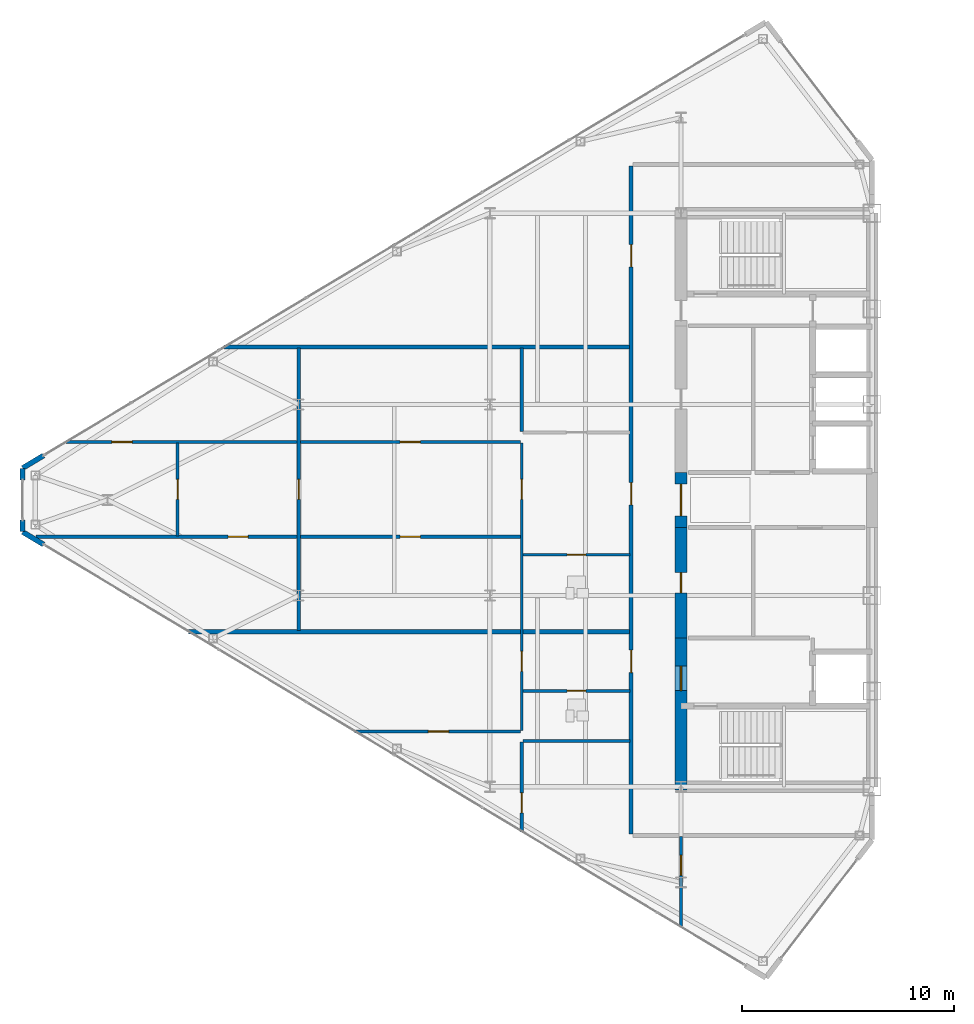
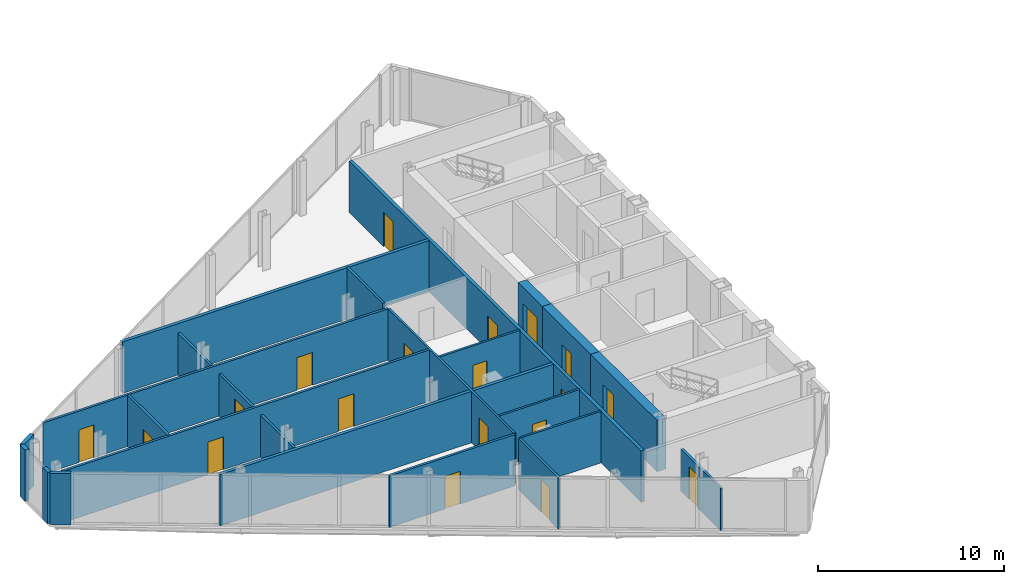
# One storey, part 19 of 26: 22 walls, 19 doors, 19 openings.
"""IFC4 building model written with IfcOpenShell, lengths in metres."""

from ifc_helpers import new_model, si_unit, direction, frame, frame_2d, origin, place, context, subcontext, project, spatial, rectangle, extrude, source, transform, mapped, material, layer, layer_set, type_object, type_shapes, element, fill, save


model = new_model("IFC4")

# Units and contexts
model_context = context("Model", 3, precision=1e-05, world=origin(), true_north=direction((0.0, 1.0)))
body_context = subcontext(model_context, "Body", "Model", "MODEL_VIEW")
ifc_project = project(units=[si_unit("LENGTHUNIT", "METRE"), si_unit("AREAUNIT", "SQUARE_METRE"), si_unit("VOLUMEUNIT", "CUBIC_METRE"), si_unit("PLANEANGLEUNIT", "RADIAN"), si_unit("MASSUNIT", "GRAM", prefix="KILO")], contexts=[model_context])

# Site, building, storey
site_placement = place(None, origin())
site = spatial("IfcSite", under=ifc_project, at=site_placement, CompositionType="ELEMENT")
building_placement = place(site_placement, origin())
building = spatial("IfcBuilding", under=site, at=building_placement, Name="Seokmaru Belvedere", CompositionType="ELEMENT")
storey_placement = place(building_placement, frame((0.0, 0.0, 199.5)))
storey = spatial("IfcBuildingStorey", under=building, at=storey_placement, Name="L53", CompositionType="ELEMENT", Elevation=199.5)

# Wall, opening, door
ifc_material_1 = material(Name="Fire-Rated Gypsum Shaftwall")
ifc_layer_1 = layer(ifc_material_1, 0.14990234375)
ifc_layer_set_1 = layer_set([ifc_layer_1], Name="Fire-Rated Gypsum Shaftwall")
wall_type_1 = type_object("IfcWallType", Name="Apartment Fire-Acoustic Room Partition 150", PredefinedType="PARTITIONING", material=ifc_layer_set_1)
wall_1_placement = place(storey_placement, frame((-51.867919921875, -10.89990234375, 0.0), z_axis=(0.0, 0.0, 1.0), x_axis=(1.0, 0.0, 0.0)))
wall_1 = element("IfcWall", 1, at=wall_1_placement, inside=storey, type_object=wall_type_1, Name="L53 Interior Partition 004", PredefinedType="PARTITIONING", context=body_context, shape_type="SweptSolid", body=[
    extrude(rectangle(XDim=7.81787109375, YDim=0.14990234375, at=frame_2d((3.908935546875, 0.0))), origin(), (0.0, 0.0, 1.0), 3.3798828125),
])
opening_1_placement = place(wall_1_placement, frame((3.476318359375, 0.0, 0.0)))
opening_1 = element("IfcOpeningElement", 2, at=opening_1_placement, cuts=wall_1, Name="Opening D05", PredefinedType="OPENING", context=body_context, shape_type="SweptSolid", body=[
    extrude(rectangle(XDim=0.949951171875, YDim=2.14990234375, at=frame_2d((0.47509765625, 1.074951171875))), frame((0.0, 0.0849609375, 0.0), z_axis=(0.0, -1.0, 0.0), x_axis=(1.0, 0.0, 0.0)), (0.0, 0.0, 1.0), 0.169921875),
])
ifc_material_2 = material(Name="Engineered White Oak Timber", Category="wood")
door_type_1 = type_object("IfcDoorType", Name="Apartment Interior Fire-Rated Oak Door 950x2150", OperationType="NOTDEFINED", PredefinedType="DOOR", material=ifc_material_2)
shared_shape_1 = source(origin(), body_context, "Body", "SweptSolid", [
    extrude(rectangle(XDim=0.949951171875, YDim=2.14990234375, at=frame_2d((0.47509765625, 1.074951171875))), frame((0.0, 0.02490234375, 0.0), z_axis=(0.0, -1.0, 0.0), x_axis=(1.0, 0.0, 0.0)), (0.0, 0.0, 1.0), 0.050048828125),
])
type_shapes(door_type_1, [shared_shape_1])
door_1_placement = place(opening_1_placement, origin())
door_1 = element("IfcDoor", 3, at=door_1_placement, inside=storey, type_object=door_type_1, Name="L53 Interior Door 004", OperationType="SINGLE_SWING_RIGHT", OverallHeight=2.14990234375, OverallWidth=0.949951171875, PredefinedType="DOOR", context=body_context, shape_type="MappedRepresentation", body=[
    mapped(shared_shape_1, transform((0.0, 0.0, 0.0), scale=1.0)),
])
fill(opening_1, door_1)

# Wall, openings, doors
wall_2_placement = place(storey_placement, frame((-66.873779296875, -1.72998046875, 0.0), z_axis=(0.0, 0.0, 1.0), x_axis=(1.0, 0.0, 0.0)))
wall_2 = element("IfcWall", 4, at=wall_2_placement, inside=storey, type_object=wall_type_1, Name="L53 Interior Partition 011", PredefinedType="PARTITIONING", context=body_context, shape_type="SweptSolid", body=[
    extrude(rectangle(XDim=22.82373046875, YDim=0.14990234375, at=frame_2d((11.411865234375, 0.0))), origin(), (0.0, 0.0, 1.0), 3.3798828125),
])
opening_2_placement = place(wall_2_placement, frame((17.148681640625, 0.0, 0.0)))
opening_2 = element("IfcOpeningElement", 5, at=opening_2_placement, cuts=wall_2, Name="Opening D05", PredefinedType="OPENING", context=body_context, shape_type="SweptSolid", body=[
    extrude(rectangle(XDim=0.949951171875, YDim=2.14990234375, at=frame_2d((0.47509765625, 1.074951171875))), frame((0.0, 0.0849609375, 0.0), z_axis=(0.0, -1.0, 0.0), x_axis=(1.0, 0.0, 0.0)), (0.0, 0.0, 1.0), 0.169921875),
])
opening_3_placement = place(wall_2_placement, frame((9.048583984375, 0.0, 0.0)))
opening_3 = element("IfcOpeningElement", 6, at=opening_3_placement, cuts=wall_2, Name="Opening D05", PredefinedType="OPENING", context=body_context, shape_type="SweptSolid", body=[
    extrude(rectangle(XDim=0.949951171875, YDim=2.14990234375, at=frame_2d((0.47509765625, 1.074951171875))), frame((0.0, 0.0849609375, 0.0), z_axis=(0.0, -1.0, 0.0), x_axis=(1.0, 0.0, 0.0)), (0.0, 0.0, 1.0), 0.169921875),
])
door_2_placement = place(opening_2_placement, origin())
door_2 = element("IfcDoor", 7, at=door_2_placement, inside=storey, type_object=door_type_1, Name="L53 Interior Door 012", OperationType="SINGLE_SWING_RIGHT", OverallHeight=2.14990234375, OverallWidth=0.949951171875, PredefinedType="DOOR", context=body_context, shape_type="MappedRepresentation", body=[
    mapped(shared_shape_1, transform((0.0, 0.0, 0.0), scale=1.0)),
])
fill(opening_2, door_2)
door_3_placement = place(opening_3_placement, origin())
door_3 = element("IfcDoor", 8, at=door_3_placement, inside=storey, type_object=door_type_1, Name="L53 Interior Door 014", OperationType="SINGLE_SWING_LEFT", OverallHeight=2.14990234375, OverallWidth=0.949951171875, PredefinedType="DOOR", context=body_context, shape_type="MappedRepresentation", body=[
    mapped(shared_shape_1, transform((0.0, 0.0, 0.0), scale=1.0)),
])
fill(opening_3, door_3)

wall_3_placement = place(storey_placement, frame((-65.47998046875, 2.72998046875, 0.0), z_axis=(0.0, 0.0, 1.0), x_axis=(1.0, 0.0, 0.0)))
wall_3 = element("IfcWall", 9, at=wall_3_placement, inside=storey, type_object=wall_type_1, Name="L53 Interior Partition 014", PredefinedType="PARTITIONING", context=body_context, shape_type="SweptSolid", body=[
    extrude(rectangle(XDim=21.429931640625, YDim=0.14990234375, at=frame_2d((10.71484375, 0.0))), origin(), (0.0, 0.0, 1.0), 3.3798828125),
])
opening_4_placement = place(wall_3_placement, frame((15.7548828125, 0.0, 0.0)))
opening_4 = element("IfcOpeningElement", 10, at=opening_4_placement, cuts=wall_3, Name="Opening D05", PredefinedType="OPENING", context=body_context, shape_type="SweptSolid", body=[
    extrude(rectangle(XDim=0.949951171875, YDim=2.14990234375, at=frame_2d((0.47509765625, 1.074951171875))), frame((0.0, 0.0849609375, 0.0), z_axis=(0.0, -1.0, 0.0), x_axis=(1.0, 0.0, 0.0)), (0.0, 0.0, 1.0), 0.169921875),
])
opening_5_placement = place(wall_3_placement, frame((2.182861328125, 0.0, 0.0)))
opening_5 = element("IfcOpeningElement", 11, at=opening_5_placement, cuts=wall_3, Name="Opening D05", PredefinedType="OPENING", context=body_context, shape_type="SweptSolid", body=[
    extrude(rectangle(XDim=0.949951171875, YDim=2.14990234375, at=frame_2d((0.47509765625, 1.074951171875))), frame((0.0, 0.0849609375, 0.0), z_axis=(0.0, -1.0, 0.0), x_axis=(1.0, 0.0, 0.0)), (0.0, 0.0, 1.0), 0.169921875),
])
door_4_placement = place(opening_4_placement, origin())
door_4 = element("IfcDoor", 12, at=door_4_placement, inside=storey, type_object=door_type_1, Name="L53 Interior Door 013", OperationType="SINGLE_SWING_LEFT", OverallHeight=2.14990234375, OverallWidth=0.949951171875, PredefinedType="DOOR", context=body_context, shape_type="MappedRepresentation", body=[
    mapped(shared_shape_1, transform((0.0, 0.0, 0.0), scale=1.0)),
])
fill(opening_4, door_4)
door_5_placement = place(opening_5_placement, origin())
door_5 = element("IfcDoor", 13, at=door_5_placement, inside=storey, type_object=door_type_1, Name="L53 Interior Door 016", OperationType="SINGLE_SWING_LEFT", OverallHeight=2.14990234375, OverallWidth=0.949951171875, PredefinedType="DOOR", context=body_context, shape_type="MappedRepresentation", body=[
    mapped(shared_shape_1, transform((0.0, 0.0, 0.0), scale=1.0)),
])
fill(opening_5, door_5)

# Wall, opening, door
wall_4_placement = place(storey_placement, frame((-60.199951171875, -1.68310546875, 0.0), z_axis=(0.0, 0.0, 1.0), x_axis=(0.0, 1.0, 0.0)))
wall_4 = element("IfcWall", 14, at=wall_4_placement, inside=storey, type_object=wall_type_1, Name="L53 Interior Partition 024", PredefinedType="PARTITIONING", context=body_context, shape_type="SweptSolid", body=[
    extrude(rectangle(XDim=4.3662109375, YDim=0.14990234375, at=frame_2d((2.18310546875, 0.0))), origin(), (0.0, 0.0, 1.0), 3.3798828125),
])
opening_6_placement = place(wall_4_placement, frame((1.7080078125, 0.0, 0.0)))
opening_6 = element("IfcOpeningElement", 15, at=opening_6_placement, cuts=wall_4, Name="Opening D05", PredefinedType="OPENING", context=body_context, shape_type="SweptSolid", body=[
    extrude(rectangle(XDim=0.949951171875, YDim=2.14990234375, at=frame_2d((0.47509765625, 1.074951171875))), frame((0.0, 0.0849609375, 0.0), z_axis=(0.0, -1.0, 0.0), x_axis=(1.0, 0.0, 0.0)), (0.0, 0.0, 1.0), 0.169921875),
])
door_6_placement = place(opening_6_placement, origin())
door_6 = element("IfcDoor", 16, at=door_6_placement, inside=storey, type_object=door_type_1, Name="L53 Interior Door 015", OperationType="SINGLE_SWING_RIGHT", OverallHeight=2.14990234375, OverallWidth=0.949951171875, PredefinedType="DOOR", context=body_context, shape_type="MappedRepresentation", body=[
    mapped(shared_shape_1, transform((0.0, 0.0, 0.0), scale=1.0)),
])
fill(opening_6, door_6)

wall_5_placement = place(storey_placement, frame((-54.5, -6.14990234375, 0.0), z_axis=(0.0, 0.0, 1.0), x_axis=(0.0, 1.0, 0.0)))
wall_5 = element("IfcWall", 17, at=wall_5_placement, inside=storey, type_object=wall_type_1, Name="L53 Interior Partition 025", PredefinedType="PARTITIONING", context=body_context, shape_type="SweptSolid", body=[
    extrude(rectangle(XDim=13.2998046875, YDim=0.14990234375, at=frame_2d((6.64990234375, 0.0))), origin(), (0.0, 0.0, 1.0), 2.780029296875),
])
opening_7_placement = place(wall_5_placement, frame((6.175048828125, 0.0, 0.0)))
opening_7 = element("IfcOpeningElement", 18, at=opening_7_placement, cuts=wall_5, Name="Opening D05", PredefinedType="OPENING", context=body_context, shape_type="SweptSolid", body=[
    extrude(rectangle(XDim=0.949951171875, YDim=2.14990234375, at=frame_2d((0.47509765625, 1.074951171875))), frame((0.0, 0.0849609375, 0.0), z_axis=(0.0, -1.0, 0.0), x_axis=(1.0, 0.0, 0.0)), (0.0, 0.0, 1.0), 0.169921875),
])
door_7_placement = place(opening_7_placement, origin())
door_7 = element("IfcDoor", 19, at=door_7_placement, inside=storey, type_object=door_type_1, Name="L53 Interior Door 011", OperationType="SINGLE_SWING_RIGHT", OverallHeight=2.14990234375, OverallWidth=0.949951171875, PredefinedType="DOOR", context=body_context, shape_type="MappedRepresentation", body=[
    mapped(shared_shape_1, transform((0.0, 0.0, 0.0), scale=1.0)),
])
fill(opening_7, door_7)

wall_6_placement = place(storey_placement, frame((-44.0, -15.635009765625, 0.0), z_axis=(0.0, 0.0, 1.0), x_axis=(0.0, 1.0, 0.0)))
wall_6 = element("IfcWall", 20, at=wall_6_placement, inside=storey, type_object=wall_type_1, Name="L53 Interior Partition 026", PredefinedType="PARTITIONING", context=body_context, shape_type="SweptSolid", body=[
    extrude(rectangle(XDim=4.239990234375, YDim=0.14990234375, at=frame_2d((2.1201171875, 0.0))), origin(), (0.0, 0.0, 1.0), 3.3798828125),
])
opening_8_placement = place(wall_6_placement, frame((0.902587890625, 0.0, 0.0)))
opening_8 = element("IfcOpeningElement", 21, at=opening_8_placement, cuts=wall_6, Name="Opening D05", PredefinedType="OPENING", context=body_context, shape_type="SweptSolid", body=[
    extrude(rectangle(XDim=0.949951171875, YDim=2.14990234375, at=frame_2d((0.47509765625, 1.074951171875))), frame((0.0, 0.0849609375, 0.0), z_axis=(0.0, -1.0, 0.0), x_axis=(1.0, 0.0, 0.0)), (0.0, 0.0, 1.0), 0.169921875),
])
door_8_placement = place(opening_8_placement, origin())
door_8 = element("IfcDoor", 22, at=door_8_placement, inside=storey, type_object=door_type_1, Name="L53 Interior Door 005", OperationType="SINGLE_SWING_LEFT", OverallHeight=2.14990234375, OverallWidth=0.949951171875, PredefinedType="DOOR", context=body_context, shape_type="MappedRepresentation", body=[
    mapped(shared_shape_1, transform((0.0, 0.0, 0.0), scale=1.0)),
])
fill(opening_8, door_8)

# Wall
wall_7_placement = place(storey_placement, frame((-44.0, 3.23193359375, 0.0), z_axis=(0.0, 0.0, 1.0), x_axis=(0.0, 1.0, 0.0)))
element("IfcWall", 23, at=wall_7_placement, inside=storey, type_object=wall_type_1, Name="L53 Interior Partition 028", PredefinedType="PARTITIONING", context=body_context, shape_type="SweptSolid", body=[
    extrude(rectangle(XDim=3.91796875, YDim=0.14990234375, at=frame_2d((1.958984375, 0.0))), origin(), (0.0, 0.0, 1.0), 3.3798828125),
])

# Wall, opening, door
wall_8_placement = place(storey_placement, frame((-36.5, -20.135009765625, 0.0), z_axis=(0.0, 0.0, 1.0), x_axis=(0.0, 1.0, 0.0)))
wall_8 = element("IfcWall", 24, at=wall_8_placement, inside=storey, type_object=wall_type_1, Name="L53 Interior Partition 030", PredefinedType="PARTITIONING", context=body_context, shape_type="SweptSolid", body=[
    extrude(rectangle(XDim=4.284912109375, YDim=0.14990234375, at=frame_2d((2.142578125, 0.0))), origin(), (0.0, 0.0, 1.0), 2.780029296875),
])
opening_9_placement = place(wall_8_placement, frame((2.45703125, 0.0, 0.0)))
opening_9 = element("IfcOpeningElement", 25, at=opening_9_placement, cuts=wall_8, Name="Opening D05", PredefinedType="OPENING", context=body_context, shape_type="SweptSolid", body=[
    extrude(rectangle(XDim=0.949951171875, YDim=2.14990234375, at=frame_2d((0.47509765625, 1.074951171875))), frame((0.0, 0.0849609375, 0.0), z_axis=(0.0, -1.0, 0.0), x_axis=(1.0, 0.0, 0.0)), (0.0, 0.0, 1.0), 0.169921875),
])
door_9_placement = place(opening_9_placement, origin())
door_9 = element("IfcDoor", 26, at=door_9_placement, inside=storey, type_object=door_type_1, Name="L53 Interior Door 006", OperationType="SINGLE_SWING_RIGHT", OverallHeight=2.14990234375, OverallWidth=0.949951171875, PredefinedType="DOOR", context=body_context, shape_type="MappedRepresentation", body=[
    mapped(shared_shape_1, transform((0.0, 0.0, 0.0), scale=1.0)),
])
fill(opening_9, door_9)

# Walls
ifc_layer_2 = layer(ifc_material_1, 0.199951171875)
ifc_layer_set_2 = layer_set([ifc_layer_2], Name="Fire-Rated Gypsum Shaftwall")
wall_type_2 = type_object("IfcWallType", Name="Inter-Tenancy Fire Compartment Partition 200", PredefinedType="PARTITIONING", material=ifc_layer_set_2)
wall_9_placement = place(storey_placement, frame((-59.676025390625, -6.199951171875, 0.0), z_axis=(0.0, 0.0, 1.0), x_axis=(1.0, 0.0, 0.0)))
element("IfcWall", 27, at=wall_9_placement, inside=storey, type_object=wall_type_2, Name="L53 Interior Partition 007", PredefinedType="PARTITIONING", context=body_context, shape_type="SweptSolid", body=[
    extrude(rectangle(XDim=20.74609375, YDim=0.199951171875, at=frame_2d((10.373046875, 0.0))), origin(), (0.0, 0.0, 1.0), 3.3798828125),
])
wall_10_placement = place(storey_placement, frame((-58.010009765625, 7.199951171875, 0.0), z_axis=(0.0, 0.0, 1.0), x_axis=(1.0, 0.0, 0.0)))
element("IfcWall", 28, at=wall_10_placement, inside=storey, type_object=wall_type_2, Name="L53 Interior Partition 017", PredefinedType="PARTITIONING", context=body_context, shape_type="SweptSolid", body=[
    extrude(rectangle(XDim=19.080078125, YDim=0.199951171875, at=frame_2d((9.5400390625, 0.0))), origin(), (0.0, 0.0, 1.0), 3.3798828125),
])

# Wall, openings, doors
wall_11_placement = place(storey_placement, frame((-38.85009765625, -15.715087890625, 0.0), z_axis=(0.0, 0.0, 1.0), x_axis=(0.0, 1.0, 0.0)))
wall_11 = element("IfcWall", 29, at=wall_11_placement, inside=storey, type_object=wall_type_2, Name="L53 Interior Partition 029", PredefinedType="PARTITIONING", context=body_context, shape_type="SweptSolid", body=[
    extrude(rectangle(XDim=31.43017578125, YDim=0.199951171875, at=frame_2d((15.715087890625, 0.0))), origin(), (0.0, 0.0, 1.0), 3.3798828125),
])
opening_10_placement = place(wall_11_placement, frame((7.592529296875, 0.0, 0.0)))
opening_10 = element("IfcOpeningElement", 30, at=opening_10_placement, cuts=wall_11, Name="Opening D03", PredefinedType="OPENING", context=body_context, shape_type="SweptSolid", body=[
    extrude(rectangle(XDim=1.050048828125, YDim=2.25, at=frame_2d((0.52490234375, 1.125))), frame((0.0, 0.10986328125, 0.0), z_axis=(0.0, -1.0, 0.0), x_axis=(1.0, 0.0, 0.0)), (0.0, 0.0, 1.0), 0.219970703125),
])
opening_11_placement = place(wall_11_placement, frame((15.489013671875, 0.0, 0.0)))
opening_11 = element("IfcOpeningElement", 31, at=opening_11_placement, cuts=wall_11, Name="Opening D03", PredefinedType="OPENING", context=body_context, shape_type="SweptSolid", body=[
    extrude(rectangle(XDim=1.050048828125, YDim=2.25, at=frame_2d((0.52490234375, 1.125))), frame((0.0, 0.10986328125, 0.0), z_axis=(0.0, -1.0, 0.0), x_axis=(1.0, 0.0, 0.0)), (0.0, 0.0, 1.0), 0.219970703125),
])
opening_12_placement = place(wall_11_placement, frame((26.68994140625, 0.0, 0.0)))
opening_12 = element("IfcOpeningElement", 32, at=opening_12_placement, cuts=wall_11, Name="Opening D03", PredefinedType="OPENING", context=body_context, shape_type="SweptSolid", body=[
    extrude(rectangle(XDim=1.050048828125, YDim=2.25, at=frame_2d((0.52490234375, 1.125))), frame((0.0, 0.10986328125, 0.0), z_axis=(0.0, -1.0, 0.0), x_axis=(1.0, 0.0, 0.0)), (0.0, 0.0, 1.0), 0.219970703125),
])
ifc_material_3 = material(Name="Fire-Rated Steel Leaf", Category="steel")
door_type_2 = type_object("IfcDoorType", Name="Apartment Entrance Fire Door 1050x2250", OperationType="NOTDEFINED", PredefinedType="DOOR", material=ifc_material_3)
shared_shape_2 = source(origin(), body_context, "Body", "SweptSolid", [
    extrude(rectangle(XDim=1.050048828125, YDim=2.25, at=frame_2d((0.52490234375, 1.125))), frame((0.0, 0.02490234375, 0.0), z_axis=(0.0, -1.0, 0.0), x_axis=(1.0, 0.0, 0.0)), (0.0, 0.0, 1.0), 0.050048828125),
])
type_shapes(door_type_2, [shared_shape_2])
door_10_placement = place(opening_10_placement, origin())
door_10 = element("IfcDoor", 33, at=door_10_placement, inside=storey, type_object=door_type_2, Name="L53 Interior Door 001", OperationType="SINGLE_SWING_RIGHT", OverallHeight=2.25, OverallWidth=1.050048828125, PredefinedType="DOOR", context=body_context, shape_type="MappedRepresentation", body=[
    mapped(shared_shape_2, transform((0.0, 0.0, 0.0), scale=1.0)),
])
fill(opening_10, door_10)
door_11_placement = place(opening_11_placement, origin())
door_11 = element("IfcDoor", 34, at=door_11_placement, inside=storey, type_object=door_type_2, Name="L53 Interior Door 007", OperationType="SINGLE_SWING_LEFT", OverallHeight=2.25, OverallWidth=1.050048828125, PredefinedType="DOOR", context=body_context, shape_type="MappedRepresentation", body=[
    mapped(shared_shape_2, transform((0.0, 0.0, 0.0), scale=1.0)),
])
fill(opening_11, door_11)
door_12_placement = place(opening_12_placement, origin())
door_12 = element("IfcDoor", 35, at=door_12_placement, inside=storey, type_object=door_type_2, Name="L53 Interior Door 017", OperationType="SINGLE_SWING_RIGHT", OverallHeight=2.25, OverallWidth=1.050048828125, PredefinedType="DOOR", context=body_context, shape_type="MappedRepresentation", body=[
    mapped(shared_shape_2, transform((0.0, 0.0, 0.0), scale=1.0)),
])
fill(opening_12, door_12)

# Wall, opening, door
ifc_material_4 = material(Name="Concrete C50 (50 MPa)", Category="concrete")
ifc_layer_3 = layer(ifc_material_4, 0.550048828125)
ifc_layer_set_3 = layer_set([ifc_layer_3], Name="Concrete C50 (50 MPa)")
wall_type_3 = type_object("IfcWallType", Name="Mid-High Reinforced Concrete Core Wall 550", PredefinedType="SHEAR", material=ifc_layer_set_3)
wall_12_placement = place(storey_placement, frame((-36.5, -13.64990234375, 0.0), z_axis=(0.0, 0.0, 1.0), x_axis=(0.0, 1.0, 0.0)))
wall_12 = element("IfcWall", 36, at=wall_12_placement, inside=storey, type_object=wall_type_3, Name="L53 West West Core Wall FF", PredefinedType="SHEAR", context=body_context, shape_type="SweptSolid", body=[
    extrude(rectangle(XDim=7.14990234375, YDim=0.550048828125, at=frame_2d((3.574951171875, 0.0))), origin(), (0.0, 0.0, 1.0), 3.3798828125),
])
opening_13_placement = place(wall_12_placement, frame((4.675048828125, 0.0, 0.0)))
opening_13 = element("IfcOpeningElement", 37, at=opening_13_placement, cuts=wall_12, Name="Opening D02", PredefinedType="OPENING", context=body_context, shape_type="SweptSolid", body=[
    extrude(rectangle(XDim=1.14990234375, YDim=2.199951171875, at=frame_2d((0.574951171875, 1.10009765625))), frame((0.0, 0.28515625, 0.0), z_axis=(0.0, -1.0, 0.0), x_axis=(1.0, 0.0, 0.0)), (0.0, 0.0, 1.0), 0.570068359375),
])
door_type_3 = type_object("IfcDoorType", Name="Lobby and Vestibule Fire Door 1150x2200", OperationType="NOTDEFINED", PredefinedType="DOOR", material=ifc_material_3)
shared_shape_3 = source(origin(), body_context, "Body", "SweptSolid", [
    extrude(rectangle(XDim=1.14990234375, YDim=2.199951171875, at=frame_2d((0.574951171875, 1.10009765625))), frame((0.0, 0.02490234375, 0.0), z_axis=(0.0, -1.0, 0.0), x_axis=(1.0, 0.0, 0.0)), (0.0, 0.0, 1.0), 0.050048828125),
])
type_shapes(door_type_3, [shared_shape_3])
door_13_placement = place(opening_13_placement, frame((1.14990234375, 0.0, 0.0), z_axis=(0.0, 0.0, 1.0), x_axis=(-1.0, 0.0, 0.0)))
door_13 = element("IfcDoor", 38, at=door_13_placement, inside=storey, type_object=door_type_3, Name="L53 West Firefighting Lobby Door", OperationType="SINGLE_SWING_LEFT", OverallHeight=2.199951171875, OverallWidth=1.14990234375, PredefinedType="DOOR", context=body_context, shape_type="MappedRepresentation", body=[
    mapped(shared_shape_3, transform((0.0, 0.0, 0.0), scale=1.0)),
])
fill(opening_13, door_13)

wall_13_placement = place(storey_placement, frame((-36.5, -1.300048828125, 0.0), z_axis=(0.0, 0.0, 1.0), x_axis=(0.0, 1.0, 0.0)))
wall_13 = element("IfcWall", 39, at=wall_13_placement, inside=storey, type_object=wall_type_3, Name="L53 West West Core Wall FOY", PredefinedType="SHEAR", context=body_context, shape_type="SweptSolid", body=[
    extrude(rectangle(XDim=2.60009765625, YDim=0.550048828125, at=frame_2d((1.300048828125, 0.0))), origin(), (0.0, 0.0, 1.0), 3.3798828125),
])
opening_14_placement = place(wall_13_placement, frame((0.550048828125, 0.0, 0.0)))
opening_14 = element("IfcOpeningElement", 40, at=opening_14_placement, cuts=wall_13, Name="Opening D08", PredefinedType="OPENING", context=body_context, shape_type="SweptSolid", body=[
    extrude(rectangle(XDim=1.5, YDim=2.300048828125, at=frame_2d((0.75, 1.14990234375))), frame((0.0, 0.28515625, 0.0), z_axis=(0.0, -1.0, 0.0), x_axis=(1.0, 0.0, 0.0)), (0.0, 0.0, 1.0), 0.570068359375),
])
door_type_4 = type_object("IfcDoorType", Name="Cross-Corridor Compartment Double Fire Door 1500x2300", OperationType="DOUBLE_SWING_LEFT", PredefinedType="DOOR", material=ifc_material_3)
shared_shape_4 = source(origin(), body_context, "Body", "SweptSolid", [
    extrude(rectangle(XDim=1.5, YDim=2.300048828125, at=frame_2d((0.75, 1.14990234375))), frame((0.0, 0.02490234375, 0.0), z_axis=(0.0, -1.0, 0.0), x_axis=(1.0, 0.0, 0.0)), (0.0, 0.0, 1.0), 0.050048828125),
])
type_shapes(door_type_4, [shared_shape_4])
door_14_placement = place(opening_14_placement, origin())
door_14 = element("IfcDoor", 41, at=door_14_placement, inside=storey, type_object=door_type_4, Name="L53 West Core Foyer Compartment Door", OperationType="DOUBLE_SWING_LEFT", OverallHeight=2.300048828125, OverallWidth=1.5, PredefinedType="DOOR", context=body_context, shape_type="MappedRepresentation", body=[
    mapped(shared_shape_4, transform((0.0, 0.0, 0.0), scale=1.0)),
])
fill(opening_14, door_14)

wall_14_placement = place(storey_placement, frame((-36.5, -6.5, 0.0), z_axis=(0.0, 0.0, 1.0), x_axis=(0.0, 1.0, 0.0)))
wall_14 = element("IfcWall", 42, at=wall_14_placement, inside=storey, type_object=wall_type_3, Name="L53 West West Core Wall CS1", PredefinedType="SHEAR", context=body_context, shape_type="SweptSolid", body=[
    extrude(rectangle(XDim=5.199951171875, YDim=0.550048828125, at=frame_2d((2.60009765625, 0.0))), origin(), (0.0, 0.0, 1.0), 3.3798828125),
])
opening_15_placement = place(wall_14_placement, frame((2.125, 0.0, 0.0)))
opening_15 = element("IfcOpeningElement", 43, at=opening_15_placement, cuts=wall_14, Name="Opening D04", PredefinedType="OPENING", context=body_context, shape_type="SweptSolid", body=[
    extrude(rectangle(XDim=0.949951171875, YDim=2.14990234375, at=frame_2d((0.47509765625, 1.074951171875))), frame((0.0, 0.28515625, 0.0), z_axis=(0.0, -1.0, 0.0), x_axis=(1.0, 0.0, 0.0)), (0.0, 0.0, 1.0), 0.570068359375),
])
door_type_5 = type_object("IfcDoorType", Name="Core Service Room Fire Door 950x2150", OperationType="NOTDEFINED", PredefinedType="DOOR", material=ifc_material_3)
shared_shape_5 = source(origin(), body_context, "Body", "SweptSolid", [
    extrude(rectangle(XDim=0.949951171875, YDim=2.14990234375, at=frame_2d((0.47509765625, 1.074951171875))), frame((0.0, 0.02490234375, 0.0), z_axis=(0.0, -1.0, 0.0), x_axis=(1.0, 0.0, 0.0)), (0.0, 0.0, 1.0), 0.050048828125),
])
type_shapes(door_type_5, [shared_shape_5])
door_15_placement = place(opening_15_placement, origin())
door_15 = element("IfcDoor", 44, at=door_15_placement, inside=storey, type_object=door_type_5, Name="L53 West Core Service Room Door 1", OperationType="SINGLE_SWING_LEFT", OverallHeight=2.14990234375, OverallWidth=0.949951171875, PredefinedType="DOOR", context=body_context, shape_type="MappedRepresentation", body=[
    mapped(shared_shape_5, transform((0.0, 0.0, 0.0), scale=1.0)),
])
fill(opening_15, door_15)

# Wall
ifc_layer_4 = layer(ifc_material_1, 0.1298828125)
ifc_layer_set_4 = layer_set([ifc_layer_4], Name="Fire-Rated Gypsum Shaftwall")
wall_type_4 = type_object("IfcWallType", Name="Moisture-Resistant Fire-Rated Bathroom Partition 130", PredefinedType="PARTITIONING", material=ifc_layer_set_4)
wall_15_placement = place(storey_placement, frame((-43.949951171875, -11.35009765625, 0.0), z_axis=(0.0, 0.0, 1.0), x_axis=(1.0, 0.0, 0.0)))
element("IfcWall", 45, at=wall_15_placement, inside=storey, type_object=wall_type_4, Name="L53 Interior Partition 003", PredefinedType="PARTITIONING", context=body_context, shape_type="SweptSolid", body=[
    extrude(rectangle(XDim=5.050048828125, YDim=0.1298828125, at=frame_2d((2.52490234375, 0.0))), origin(), (0.0, 0.0, 1.0), 3.3798828125),
])

# Wall, opening, door
wall_16_placement = place(storey_placement, frame((-43.949951171875, -8.989990234375, 0.0), z_axis=(0.0, 0.0, 1.0), x_axis=(1.0, 0.0, 0.0)))
wall_16 = element("IfcWall", 46, at=wall_16_placement, inside=storey, type_object=wall_type_4, Name="L53 Interior Partition 005", PredefinedType="PARTITIONING", context=body_context, shape_type="SweptSolid", body=[
    extrude(rectangle(XDim=5.050048828125, YDim=0.1298828125, at=frame_2d((2.52490234375, 0.0))), origin(), (0.0, 0.0, 1.0), 3.3798828125),
])
opening_16_placement = place(wall_16_placement, frame((2.0849609375, 0.0, 0.0)))
opening_16 = element("IfcOpeningElement", 47, at=opening_16_placement, cuts=wall_16, Name="Opening D06", PredefinedType="OPENING", context=body_context, shape_type="SweptSolid", body=[
    extrude(rectangle(XDim=0.8798828125, YDim=2.10009765625, at=frame_2d((0.43994140625, 1.050048828125))), frame((0.0, 0.074951171875, 0.0), z_axis=(0.0, -1.0, 0.0), x_axis=(1.0, 0.0, 0.0)), (0.0, 0.0, 1.0), 0.14990234375),
])
door_type_6 = type_object("IfcDoorType", Name="Bathroom and Restroom Fire-Rated Door 880x2100", OperationType="NOTDEFINED", PredefinedType="DOOR", material=ifc_material_2)
shared_shape_6 = source(origin(), body_context, "Body", "SweptSolid", [
    extrude(rectangle(XDim=0.8798828125, YDim=2.10009765625, at=frame_2d((0.43994140625, 1.050048828125))), frame((0.0, 0.02490234375, 0.0), z_axis=(0.0, -1.0, 0.0), x_axis=(1.0, 0.0, 0.0)), (0.0, 0.0, 1.0), 0.050048828125),
])
type_shapes(door_type_6, [shared_shape_6])
door_16_placement = place(opening_16_placement, origin())
door_16 = element("IfcDoor", 48, at=door_16_placement, inside=storey, type_object=door_type_6, Name="L53 Interior Door 002", OperationType="SINGLE_SWING_LEFT", OverallHeight=2.10009765625, OverallWidth=0.8798828125, PredefinedType="DOOR", context=body_context, shape_type="MappedRepresentation", body=[
    mapped(shared_shape_6, transform((0.0, 0.0, 0.0), scale=1.0)),
])
fill(opening_16, door_16)

wall_17_placement = place(storey_placement, frame((-43.949951171875, -2.580078125, 0.0), z_axis=(0.0, 0.0, 1.0), x_axis=(1.0, 0.0, 0.0)))
wall_17 = element("IfcWall", 49, at=wall_17_placement, inside=storey, type_object=wall_type_4, Name="L53 Interior Partition 010", PredefinedType="PARTITIONING", context=body_context, shape_type="SweptSolid", body=[
    extrude(rectangle(XDim=5.050048828125, YDim=0.1298828125, at=frame_2d((2.52490234375, 0.0))), origin(), (0.0, 0.0, 1.0), 3.3798828125),
])
opening_17_placement = place(wall_17_placement, frame((2.0849609375, 0.0, 0.0)))
opening_17 = element("IfcOpeningElement", 50, at=opening_17_placement, cuts=wall_17, Name="Opening D06", PredefinedType="OPENING", context=body_context, shape_type="SweptSolid", body=[
    extrude(rectangle(XDim=0.8798828125, YDim=2.10009765625, at=frame_2d((0.43994140625, 1.050048828125))), frame((0.0, 0.074951171875, 0.0), z_axis=(0.0, -1.0, 0.0), x_axis=(1.0, 0.0, 0.0)), (0.0, 0.0, 1.0), 0.14990234375),
])
door_17_placement = place(opening_17_placement, origin())
door_17 = element("IfcDoor", 51, at=door_17_placement, inside=storey, type_object=door_type_6, Name="L53 Interior Door 008", OperationType="SINGLE_SWING_LEFT", OverallHeight=2.10009765625, OverallWidth=0.8798828125, PredefinedType="DOOR", context=body_context, shape_type="MappedRepresentation", body=[
    mapped(shared_shape_6, transform((0.0, 0.0, 0.0), scale=1.0)),
])
fill(opening_17, door_17)

# Wall, openings, doors
wall_18_placement = place(storey_placement, frame((-44.0, -10.85009765625, 0.0), z_axis=(0.0, 0.0, 1.0), x_axis=(0.0, 1.0, 0.0)))
wall_18 = element("IfcWall", 52, at=wall_18_placement, inside=storey, type_object=wall_type_4, Name="L53 Interior Partition 027", PredefinedType="PARTITIONING", context=body_context, shape_type="SweptSolid", body=[
    extrude(rectangle(XDim=13.533203125, YDim=0.1298828125, at=frame_2d((6.7666015625, 0.0))), origin(), (0.0, 0.0, 1.0), 3.3798828125),
])
opening_18_placement = place(wall_18_placement, frame((2.777587890625, 0.0, 0.0)))
opening_18 = element("IfcOpeningElement", 53, at=opening_18_placement, cuts=wall_18, Name="Opening D05", PredefinedType="OPENING", context=body_context, shape_type="SweptSolid", body=[
    extrude(rectangle(XDim=0.949951171875, YDim=2.14990234375, at=frame_2d((0.47509765625, 1.074951171875))), frame((0.0, 0.074951171875, 0.0), z_axis=(0.0, -1.0, 0.0), x_axis=(1.0, 0.0, 0.0)), (0.0, 0.0, 1.0), 0.14990234375),
])
opening_19_placement = place(wall_18_placement, frame((10.875, 0.0, 0.0)))
opening_19 = element("IfcOpeningElement", 54, at=opening_19_placement, cuts=wall_18, Name="Opening D05", PredefinedType="OPENING", context=body_context, shape_type="SweptSolid", body=[
    extrude(rectangle(XDim=0.949951171875, YDim=2.14990234375, at=frame_2d((0.47509765625, 1.074951171875))), frame((0.0, 0.074951171875, 0.0), z_axis=(0.0, -1.0, 0.0), x_axis=(1.0, 0.0, 0.0)), (0.0, 0.0, 1.0), 0.14990234375),
])
door_18_placement = place(opening_18_placement, origin())
door_18 = element("IfcDoor", 55, at=door_18_placement, inside=storey, type_object=door_type_1, Name="L53 Interior Door 003", OperationType="SINGLE_SWING_RIGHT", OverallHeight=2.14990234375, OverallWidth=0.949951171875, PredefinedType="DOOR", context=body_context, shape_type="MappedRepresentation", body=[
    mapped(shared_shape_1, transform((0.0, 0.0, 0.0), scale=1.0)),
])
fill(opening_18, door_18)
door_19_placement = place(opening_19_placement, origin())
door_19 = element("IfcDoor", 56, at=door_19_placement, inside=storey, type_object=door_type_1, Name="L53 Interior Door 010", OperationType="SINGLE_SWING_RIGHT", OverallHeight=2.14990234375, OverallWidth=0.949951171875, PredefinedType="DOOR", context=body_context, shape_type="MappedRepresentation", body=[
    mapped(shared_shape_1, transform((0.0, 0.0, 0.0), scale=1.0)),
])
fill(opening_19, door_19)

# Walls
ifc_material_5 = material(Name="Anodised Bronze Aluminium", Category="aluminium")
ifc_layer_5 = layer(ifc_material_5, 0.239990234375)
ifc_layer_set_5 = layer_set([ifc_layer_5], Name="Anodised Bronze Aluminium")
wall_type_5 = type_object("IfcWallType", Name="Tower Corner Spandrel Closure Wall 240", PredefinedType="SOLIDWALL", material=ifc_layer_set_5)
wall_19_placement = place(storey_placement, frame((-66.513916015625, 2.091796875, 0.0), z_axis=(0.0, 0.0, 1.0), x_axis=(-0.85743623509, -0.514590228002, 0.0)))
element("IfcWall", 57, at=wall_19_placement, inside=storey, type_object=wall_type_5, Name="L53 W Corner Closure Pier 3B", PredefinedType="SOLIDWALL", context=body_context, shape_type="SweptSolid", body=[
    extrude(rectangle(XDim=1.14013671875, YDim=0.239990234375, at=frame_2d((0.570068359375, 0.0))), origin(), (0.0, 0.0, 1.0), 3.3798828125),
])
for number, where, z_axis, x_axis, name in (
    (58, (-67.5, 1.489990234375, 0.0), (0.0, 0.0, 1.0), (0.0, -1.0, 0.0), "L53 W Apex Closure Pier 4A"),
    (59, (-67.5, -0.949951171875, 0.0), (0.0, 0.0, 1.0), (0.0, -1.0, 0.0), "L53 W Apex Closure Pier 4B"),
):
    element("IfcWall", number, at=place(storey_placement, frame(where, z_axis=z_axis, x_axis=x_axis)), inside=storey, type_object=wall_type_5, Name=name, PredefinedType="SOLIDWALL", context=body_context, shape_type="SweptSolid", body=[
        extrude(rectangle(XDim=0.5400390625, YDim=0.239990234375, at=frame_2d((0.27001953125, 0.0))), origin(), (0.0, 0.0, 1.0), 3.3798828125),
    ])
wall_20_placement = place(storey_placement, frame((-67.491455078125, -1.505126953125, 0.0), z_axis=(0.0, 0.0, 1.0), x_axis=(0.85743623509, -0.514590228002, 0.0)))
element("IfcWall", 60, at=wall_20_placement, inside=storey, type_object=wall_type_5, Name="L53 W Corner Closure Pier 5A", PredefinedType="SOLIDWALL", context=body_context, shape_type="SweptSolid", body=[
    extrude(rectangle(XDim=1.14013671875, YDim=0.239990234375, at=frame_2d((0.570068359375, 0.0))), origin(), (0.0, 0.0, 1.0), 3.3798828125),
])

save(model, "model.ifc")
